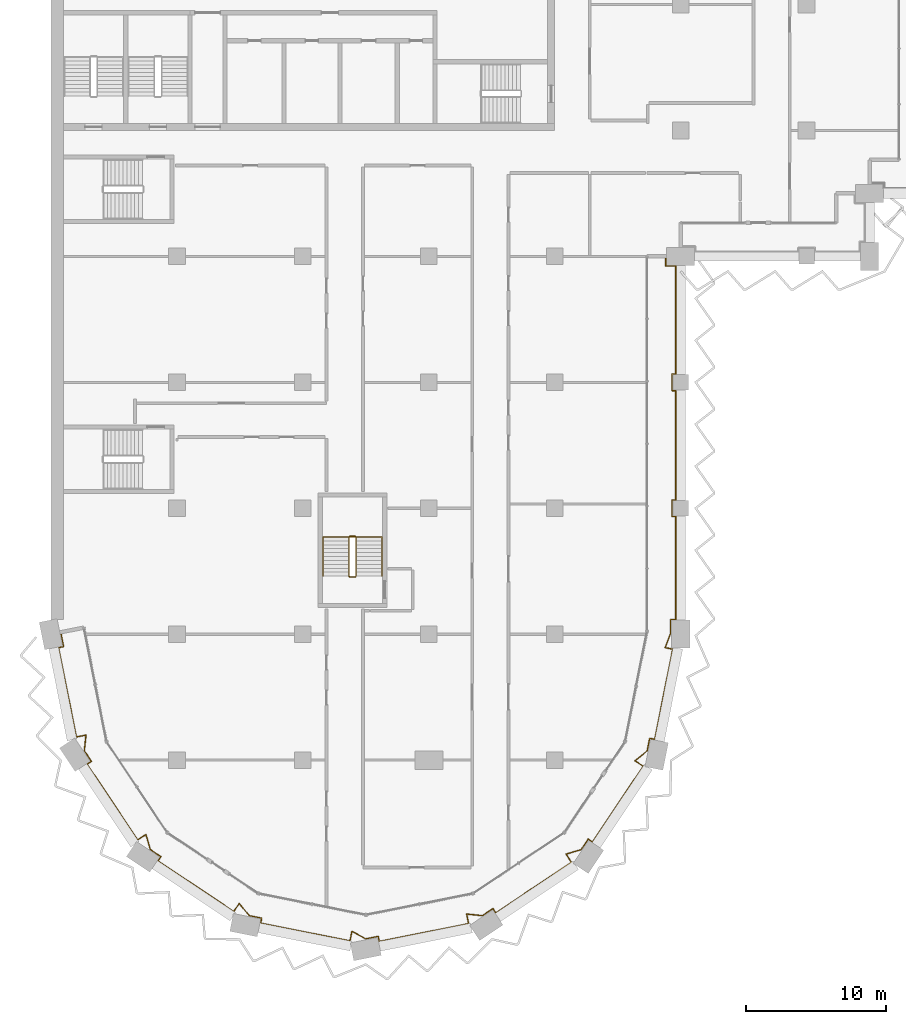
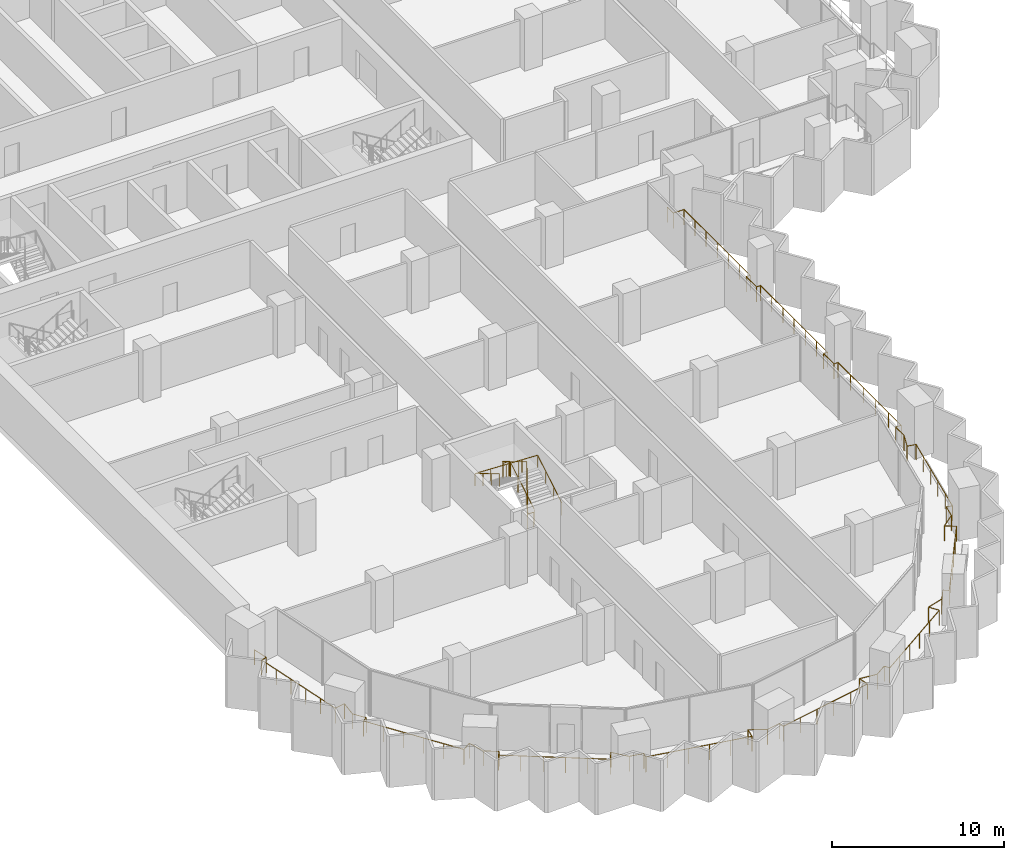
# One storey, part 20 of 23: 3 railings.
"""IFC4 building model written with IfcOpenShell, lengths in metres."""

from ifc_helpers import new_model, si_unit, direction, frame, origin, origin_2d, place, context, subcontext, project, spatial, circle, extrude, material, type_object, element, save


model = new_model("IFC4")

# Units and contexts
model_context = context("Model", 3, precision=1e-05, world=origin(), true_north=direction((0.0, 1.0)))
body_context = subcontext(model_context, "Body", "Model", "MODEL_VIEW")
ifc_project = project(units=[si_unit("LENGTHUNIT", "METRE"), si_unit("AREAUNIT", "SQUARE_METRE"), si_unit("VOLUMEUNIT", "CUBIC_METRE"), si_unit("PLANEANGLEUNIT", "RADIAN"), si_unit("MASSUNIT", "GRAM", prefix="KILO")], contexts=[model_context])

# Site, building, storey
site_placement = place(None, origin())
site = spatial("IfcSite", under=ifc_project, at=site_placement, CompositionType="ELEMENT")
building_placement = place(site_placement, origin())
building = spatial("IfcBuilding", under=site, at=building_placement, Name="Hunhe Ridgeline Campus", CompositionType="ELEMENT")
storey_placement = place(building_placement, frame((0.0, 0.0, 148.60009765625)))
storey = spatial("IfcBuildingStorey", under=building, at=storey_placement, Name="L37", CompositionType="ELEMENT", Elevation=148.60009765625)

# Railings
ifc_material_1 = material(Name="Steel Q355", Category="steel")
railing_type_1 = type_object("IfcRailingType", Name="Loggia guard 1100 Steel Q355", PredefinedType="GUARDRAIL", material=ifc_material_1)
railing_1_placement = place(storey_placement, frame((0.7060546875, 27.140380859375, 0.0)))
element("IfcRailing", 1, at=railing_1_placement, inside=storey, type_object=railing_type_1, Name="Loggia guard 1", PredefinedType="GUARDRAIL", context=body_context, shape_type="SweptSolid", body=[
    extrude(circle(Radius=0.02392578125, at=origin_2d()), frame((0.0, 0.0, 1.076171875), z_axis=(0.195087556151, -0.980785830564, 0.0), x_axis=(0.980785830564, 0.195087556151, 0.0)), (0.0, 0.0, 1.0), 1.050048828125),
    extrude(circle(Radius=0.02392578125, at=origin_2d()), frame((0.204833984375, -1.02978515625, 1.076171875), z_axis=(-0.980858940504, -0.194719641621, 0.0), x_axis=(0.194719641621, -0.980858940504, 0.0)), (0.0, 0.0, 1.0), 0.369873046875),
    extrude(circle(Radius=0.02392578125, at=origin_2d()), frame((-0.157958984375, -1.101806640625, 1.076171875), z_axis=(0.19507695386, -0.9807879394, 0.0), x_axis=(0.9807879394, 0.19507695386, 0.0)), (0.0, 0.0, 1.0), 6.506591796875),
    extrude(circle(Radius=0.02392578125, at=origin_2d()), frame((1.111328125, -7.4833984375, 1.076171875), z_axis=(0.980780459814, 0.195114555191, 0.0), x_axis=(-0.195114555191, 0.980780459814, 0.0)), (0.0, 0.0, 1.0), 0.703125),
    extrude(circle(Radius=0.02392578125, at=origin_2d()), frame((1.801025390625, -7.34619140625, 1.076171875), z_axis=(-0.102884402445, -0.994693319437, 0.0), x_axis=(0.994693319437, -0.102884402445, 0.0)), (0.0, 0.0, 1.0), 1.129638671875),
    extrude(circle(Radius=0.02392578125, at=origin_2d()), frame((1.684814453125, -8.4697265625, 1.076171875), z_axis=(0.555569523548, -0.831470086356, 0.0), x_axis=(0.831470086356, 0.555569523548, 0.0)), (0.0, 0.0, 1.0), 0.906982421875),
    extrude(circle(Radius=0.02392578125, at=origin_2d()), frame((2.188720703125, -9.223876953125, 1.076171875), z_axis=(-0.831440678638, -0.555613532868, 0.0), x_axis=(0.555613532868, -0.831440678638, 0.0)), (0.0, 0.0, 1.0), 0.369873046875),
    extrude(circle(Radius=0.02392578125, at=origin_2d()), frame((1.881103515625, -9.429443359375, 1.076171875), z_axis=(0.55556581165, -0.83147256655, 0.0), x_axis=(0.83147256655, 0.55556581165, 0.0)), (0.0, 0.0, 1.0), 6.50634765625),
    extrude(circle(Radius=0.02392578125, at=origin_2d()), frame((5.495849609375, -14.83935546875, 1.076171875), z_axis=(0.831355400166, 0.555741125539, 0.0), x_axis=(-0.555741125539, 0.831355400166, 0.0)), (0.0, 0.0, 1.0), 0.703369140625),
    extrude(circle(Radius=0.02392578125, at=origin_2d()), frame((6.08056640625, -14.448486328125, 1.076171875), z_axis=(0.285463917281, -0.958389457335, 0.0), x_axis=(0.958389457335, 0.285463917281, 0.0)), (0.0, 0.0, 1.0), 1.1298828125),
    extrude(circle(Radius=0.02392578125, at=origin_2d()), frame((6.403076171875, -15.53125, 1.076171875), z_axis=(0.831511358569, -0.555507750235, 0.0), x_axis=(0.555507750235, 0.831511358569, 0.0)), (0.0, 0.0, 1.0), 0.90673828125),
    extrude(circle(Radius=0.02392578125, at=origin_2d()), frame((7.156982421875, -16.034912109375, 1.076171875), z_axis=(-0.555613532868, -0.831440678638, 0.0), x_axis=(0.831440678638, -0.555613532868, 0.0)), (0.0, 0.0, 1.0), 0.369873046875),
    extrude(circle(Radius=0.02392578125, at=origin_2d()), frame((6.951416015625, -16.342529296875, 1.076171875), z_axis=(0.831455233209, -0.555591752251, 0.0), x_axis=(0.555591752251, 0.831455233209, 0.0)), (0.0, 0.0, 1.0), 6.506591796875),
    extrude(circle(Radius=0.02392578125, at=origin_2d()), frame((12.361328125, -19.95751953125, 1.076171875), z_axis=(0.555741125539, 0.831355400166, 0.0), x_axis=(-0.831355400166, 0.555741125539, 0.0)), (0.0, 0.0, 1.0), 0.703369140625),
    extrude(circle(Radius=0.02392578125, at=origin_2d()), frame((12.752197265625, -19.372802734375, 1.076171875), z_axis=(0.630633305327, -0.776080945657, 0.0), x_axis=(0.776080945657, 0.630633305327, 0.0)), (0.0, 0.0, 1.0), 1.129638671875),
    extrude(circle(Radius=0.02392578125, at=origin_2d()), frame((13.464599609375, -20.24951171875, 1.076171875), z_axis=(0.980807887006, -0.194976636516, 0.0), x_axis=(0.194976636516, 0.980807887006, 0.0)), (0.0, 0.0, 1.0), 0.906494140625),
    extrude(circle(Radius=0.02392578125, at=origin_2d()), frame((14.353759765625, -20.42626953125, 1.076171875), z_axis=(-0.194593653816, -0.980883943132, 0.0), x_axis=(0.980883943132, -0.194593653816, 0.0)), (0.0, 0.0, 1.0), 0.3701171875),
    extrude(circle(Radius=0.02392578125, at=origin_2d()), frame((14.28173828125, -20.789306640625, 1.076171875), z_axis=(0.98078651142, -0.195084133173, 0.0), x_axis=(0.195084133173, 0.98078651142, 0.0)), (0.0, 0.0, 1.0), 6.50634765625),
    extrude(circle(Radius=0.02392578125, at=origin_2d()), frame((20.6630859375, -22.05859375, 1.076171875), z_axis=(0.195114555191, 0.980780459814, 0.0), x_axis=(-0.980780459814, 0.195114555191, 0.0)), (0.0, 0.0, 1.0), 0.703125),
    extrude(circle(Radius=0.02392578125, at=origin_2d()), frame((20.80029296875, -21.368896484375, 1.076171875), z_axis=(0.879616090555, -0.475684278946, 0.0), x_axis=(0.475684278946, 0.879616090555, 0.0)), (0.0, 0.0, 1.0), 1.129638671875),
    extrude(circle(Radius=0.02392578125, at=origin_2d()), frame((21.7939453125, -21.90625, 1.076171875), z_axis=(0.98081812081, 0.194925149456, 0.0), x_axis=(-0.194925149456, 0.98081812081, 0.0)), (0.0, 0.0, 1.0), 0.90673828125),
    extrude(circle(Radius=0.02392578125, at=origin_2d()), frame((22.683349609375, -21.7294921875, 1.076171875), z_axis=(0.194719641621, -0.980858940504, 0.0), x_axis=(0.980858940504, 0.194719641621, 0.0)), (0.0, 0.0, 1.0), 0.369873046875),
    extrude(circle(Radius=0.02392578125, at=origin_2d()), frame((22.75537109375, -22.09228515625, 1.076171875), z_axis=(0.9807879394, 0.19507695386, 0.0), x_axis=(-0.19507695386, 0.9807879394, 0.0)), (0.0, 0.0, 1.0), 6.506591796875),
    extrude(circle(Radius=0.02392578125, at=origin_2d()), frame((29.136962890625, -20.822998046875, 1.076171875), z_axis=(-0.195114555191, 0.980780459814, 0.0), x_axis=(-0.980780459814, -0.195114555191, 0.0)), (0.0, 0.0, 1.0), 0.703125),
    extrude(circle(Radius=0.02392578125, at=origin_2d()), frame((28.999755859375, -20.13330078125, 1.076171875), z_axis=(0.994693319437, -0.102884402445, 0.0), x_axis=(0.102884402445, 0.994693319437, 0.0)), (0.0, 0.0, 1.0), 1.129638671875),
    extrude(circle(Radius=0.02392578125, at=origin_2d()), frame((30.123291015625, -20.24951171875, 1.076171875), z_axis=(0.831470086356, 0.555569523548, 0.0), x_axis=(-0.555569523548, 0.831470086356, 0.0)), (0.0, 0.0, 1.0), 0.906982421875),
    extrude(circle(Radius=0.02392578125, at=origin_2d()), frame((30.87744140625, -19.74560546875, 1.076171875), z_axis=(0.555613532868, -0.831440678638, 0.0), x_axis=(0.831440678638, 0.555613532868, 0.0)), (0.0, 0.0, 1.0), 0.369873046875),
    extrude(circle(Radius=0.02392578125, at=origin_2d()), frame((31.0830078125, -20.05322265625, 1.076171875), z_axis=(0.83147256655, 0.55556581165, 0.0), x_axis=(-0.55556581165, 0.83147256655, 0.0)), (0.0, 0.0, 1.0), 6.50634765625),
    extrude(circle(Radius=0.02392578125, at=origin_2d()), frame((36.492919921875, -16.4384765625, 1.076171875), z_axis=(-0.555741125539, 0.831355400166, 0.0), x_axis=(-0.831355400166, -0.555741125539, 0.0)), (0.0, 0.0, 1.0), 0.703369140625),
    extrude(circle(Radius=0.02392578125, at=origin_2d()), frame((36.10205078125, -15.853759765625, 1.076171875), z_axis=(0.958389457335, 0.285463917281, 0.0), x_axis=(-0.285463917281, 0.958389457335, 0.0)), (0.0, 0.0, 1.0), 1.1298828125),
    extrude(circle(Radius=0.02392578125, at=origin_2d()), frame((37.184814453125, -15.53125, 1.076171875), z_axis=(0.555507750235, 0.831511358569, 0.0), x_axis=(-0.831511358569, 0.555507750235, 0.0)), (0.0, 0.0, 1.0), 0.90673828125),
    extrude(circle(Radius=0.02392578125, at=origin_2d()), frame((37.6884765625, -14.77734375, 1.076171875), z_axis=(0.831440678638, -0.555613532868, 0.0), x_axis=(0.555613532868, 0.831440678638, 0.0)), (0.0, 0.0, 1.0), 0.369873046875),
    extrude(circle(Radius=0.02392578125, at=origin_2d()), frame((37.99609375, -14.98291015625, 1.076171875), z_axis=(0.555591752251, 0.831455233209, 0.0), x_axis=(-0.831455233209, 0.555591752251, 0.0)), (0.0, 0.0, 1.0), 6.506591796875),
    extrude(circle(Radius=0.02392578125, at=origin_2d()), frame((41.611083984375, -9.572998046875, 1.076171875), z_axis=(-0.831355400166, 0.555741125539, 0.0), x_axis=(-0.555741125539, -0.831355400166, 0.0)), (0.0, 0.0, 1.0), 0.703369140625),
    extrude(circle(Radius=0.02392578125, at=origin_2d()), frame((41.0263671875, -9.18212890625, 1.076171875), z_axis=(0.776080945657, 0.630633305327, 0.0), x_axis=(-0.630633305327, 0.776080945657, 0.0)), (0.0, 0.0, 1.0), 1.129638671875),
    extrude(circle(Radius=0.02392578125, at=origin_2d()), frame((41.903076171875, -8.4697265625, 1.076171875), z_axis=(0.194976636516, 0.980807887006, 0.0), x_axis=(-0.980807887006, 0.194976636516, 0.0)), (0.0, 0.0, 1.0), 0.906494140625),
    extrude(circle(Radius=0.02392578125, at=origin_2d()), frame((42.079833984375, -7.58056640625, 1.076171875), z_axis=(0.980883943132, -0.194593653816, 0.0), x_axis=(0.194593653816, 0.980883943132, 0.0)), (0.0, 0.0, 1.0), 0.3701171875),
    extrude(circle(Radius=0.02392578125, at=origin_2d()), frame((42.44287109375, -7.652587890625, 1.076171875), z_axis=(0.195087191819, 0.980785903033, 0.0), x_axis=(-0.980785903033, 0.195087191819, 0.0)), (0.0, 0.0, 1.0), 6.5712890625),
    extrude(circle(Radius=0.02392578125, at=origin_2d()), frame((43.724853515625, -1.20751953125, 1.076171875), z_axis=(-0.9807502228, 0.195266485801, 0.0), x_axis=(-0.195266485801, -0.9807502228, 0.0)), (0.0, 0.0, 1.0), 0.552734375),
    extrude(circle(Radius=0.02392578125, at=origin_2d()), frame((43.182861328125, -1.099609375, 1.076171875), z_axis=(0.354981524628, 0.934873316109, 0.0), x_axis=(-0.934873316109, 0.354981524628, 0.0)), (0.0, 0.0, 1.0), 1.101806640625),
    extrude(circle(Radius=0.02392578125, at=origin_2d()), frame((43.573974609375, -0.069580078125, 1.076171875), z_axis=(0.0, 1.0, 0.0), x_axis=(-1.0, 0.0, 0.0)), (0.0, 0.0, 1.0), 0.979248046875),
    extrude(circle(Radius=0.02392578125, at=origin_2d()), frame((43.573974609375, 0.90966796875, 1.076171875), z_axis=(1.0, 0.0, 0.0), x_axis=(0.0, 1.0, 0.0)), (0.0, 0.0, 1.0), 0.369873046875),
    extrude(circle(Radius=0.02392578125, at=origin_2d()), frame((43.94384765625, 0.90966796875, 1.076171875), z_axis=(0.0, 1.0, 0.0), x_axis=(-1.0, 0.0, 0.0)), (0.0, 0.0, 1.0), 7.349853515625),
    extrude(circle(Radius=0.02392578125, at=origin_2d()), frame((43.94384765625, 8.259521484375, 1.076171875), z_axis=(-1.0, 0.0, 0.0), x_axis=(0.0, -1.0, 0.0)), (0.0, 0.0, 1.0), 0.27001953125),
    extrude(circle(Radius=0.02392578125, at=origin_2d()), frame((43.673828125, 8.259521484375, 1.076171875), z_axis=(0.0, 1.0, 0.0), x_axis=(-1.0, 0.0, 0.0)), (0.0, 0.0, 1.0), 1.2001953125),
    extrude(circle(Radius=0.02392578125, at=origin_2d()), frame((43.673828125, 9.459716796875, 1.076171875), z_axis=(1.0, 0.0, 0.0), x_axis=(0.0, 1.0, 0.0)), (0.0, 0.0, 1.0), 0.27001953125),
    extrude(circle(Radius=0.02392578125, at=origin_2d()), frame((43.94384765625, 9.459716796875, 1.076171875), z_axis=(0.0, 1.0, 0.0), x_axis=(-1.0, 0.0, 0.0)), (0.0, 0.0, 1.0), 7.7998046875),
    extrude(circle(Radius=0.02392578125, at=origin_2d()), frame((43.94384765625, 17.259521484375, 1.076171875), z_axis=(-1.0, 0.0, 0.0), x_axis=(0.0, -1.0, 0.0)), (0.0, 0.0, 1.0), 0.27001953125),
    extrude(circle(Radius=0.02392578125, at=origin_2d()), frame((43.673828125, 17.259521484375, 1.076171875), z_axis=(0.0, 1.0, 0.0), x_axis=(-1.0, 0.0, 0.0)), (0.0, 0.0, 1.0), 1.2001953125),
    extrude(circle(Radius=0.02392578125, at=origin_2d()), frame((43.673828125, 18.459716796875, 1.076171875), z_axis=(1.0, 0.0, 0.0), x_axis=(0.0, 1.0, 0.0)), (0.0, 0.0, 1.0), 0.27001953125),
    extrude(circle(Radius=0.02392578125, at=origin_2d()), frame((43.94384765625, 18.459716796875, 1.076171875), z_axis=(0.0, 1.0, 0.0), x_axis=(-1.0, 0.0, 0.0)), (0.0, 0.0, 1.0), 7.699951171875),
    extrude(circle(Radius=0.02392578125, at=origin_2d()), frame((43.94384765625, 26.15966796875, 1.076171875), z_axis=(-1.0, 0.0, 0.0), x_axis=(0.0, -1.0, 0.0)), (0.0, 0.0, 1.0), 0.719970703125),
    extrude(circle(Radius=0.02392578125, at=origin_2d()), frame((43.223876953125, 26.15966796875, 1.076171875), z_axis=(0.0, 1.0, 0.0), x_axis=(-1.0, 0.0, 0.0)), (0.0, 0.0, 1.0), 0.699951171875),
    extrude(circle(Radius=0.02099609375, at=origin_2d()), origin(), (0.0, 0.0, 1.0), 1.052001953125),
    extrude(circle(Radius=0.02099609375, at=origin_2d()), frame((0.204833984375, -1.02978515625, 0.0)), (0.0, 0.0, 1.0), 1.052001953125),
    extrude(circle(Radius=0.02099609375, at=origin_2d()), frame((-0.157958984375, -1.101806640625, 0.0)), (0.0, 0.0, 1.0), 1.052001953125),
    extrude(circle(Radius=0.02099609375, at=origin_2d()), frame((0.095947265625, -2.378173828125, 0.0)), (0.0, 0.0, 1.0), 1.052001953125),
    extrude(circle(Radius=0.02099609375, at=origin_2d()), frame((0.349853515625, -3.654541015625, 0.0)), (0.0, 0.0, 1.0), 1.052001953125),
    extrude(circle(Radius=0.02099609375, at=origin_2d()), frame((0.603515625, -4.9306640625, 0.0)), (0.0, 0.0, 1.0), 1.052001953125),
    extrude(circle(Radius=0.02099609375, at=origin_2d()), frame((0.857421875, -6.20703125, 0.0)), (0.0, 0.0, 1.0), 1.052001953125),
    extrude(circle(Radius=0.02099609375, at=origin_2d()), frame((1.111328125, -7.4833984375, 0.0)), (0.0, 0.0, 1.0), 1.052001953125),
    extrude(circle(Radius=0.02099609375, at=origin_2d()), frame((1.801025390625, -7.34619140625, 0.0)), (0.0, 0.0, 1.0), 1.052001953125),
    extrude(circle(Radius=0.02099609375, at=origin_2d()), frame((1.684814453125, -8.4697265625, 0.0)), (0.0, 0.0, 1.0), 1.052001953125),
    extrude(circle(Radius=0.02099609375, at=origin_2d()), frame((2.188720703125, -9.223876953125, 0.0)), (0.0, 0.0, 1.0), 1.052001953125),
    extrude(circle(Radius=0.02099609375, at=origin_2d()), frame((1.881103515625, -9.429443359375, 0.0)), (0.0, 0.0, 1.0), 1.052001953125),
    extrude(circle(Radius=0.02099609375, at=origin_2d()), frame((2.60400390625, -10.511474609375, 0.0)), (0.0, 0.0, 1.0), 1.052001953125),
    extrude(circle(Radius=0.02099609375, at=origin_2d()), frame((3.326904296875, -11.593505859375, 0.0)), (0.0, 0.0, 1.0), 1.052001953125),
    extrude(circle(Radius=0.02099609375, at=origin_2d()), frame((4.050048828125, -12.67529296875, 0.0)), (0.0, 0.0, 1.0), 1.052001953125),
    extrude(circle(Radius=0.02099609375, at=origin_2d()), frame((4.77294921875, -13.75732421875, 0.0)), (0.0, 0.0, 1.0), 1.052001953125),
    extrude(circle(Radius=0.02099609375, at=origin_2d()), frame((5.495849609375, -14.83935546875, 0.0)), (0.0, 0.0, 1.0), 1.052001953125),
    extrude(circle(Radius=0.02099609375, at=origin_2d()), frame((6.08056640625, -14.448486328125, 0.0)), (0.0, 0.0, 1.0), 1.052001953125),
    extrude(circle(Radius=0.02099609375, at=origin_2d()), frame((6.403076171875, -15.53125, 0.0)), (0.0, 0.0, 1.0), 1.052001953125),
    extrude(circle(Radius=0.02099609375, at=origin_2d()), frame((7.156982421875, -16.034912109375, 0.0)), (0.0, 0.0, 1.0), 1.052001953125),
    extrude(circle(Radius=0.02099609375, at=origin_2d()), frame((6.951416015625, -16.342529296875, 0.0)), (0.0, 0.0, 1.0), 1.052001953125),
    extrude(circle(Radius=0.02099609375, at=origin_2d()), frame((8.033447265625, -17.0654296875, 0.0)), (0.0, 0.0, 1.0), 1.052001953125),
    extrude(circle(Radius=0.02099609375, at=origin_2d()), frame((9.115478515625, -17.78857421875, 0.0)), (0.0, 0.0, 1.0), 1.052001953125),
    extrude(circle(Radius=0.02099609375, at=origin_2d()), frame((10.197265625, -18.511474609375, 0.0)), (0.0, 0.0, 1.0), 1.052001953125),
    extrude(circle(Radius=0.02099609375, at=origin_2d()), frame((11.279296875, -19.234619140625, 0.0)), (0.0, 0.0, 1.0), 1.052001953125),
    extrude(circle(Radius=0.02099609375, at=origin_2d()), frame((12.361328125, -19.95751953125, 0.0)), (0.0, 0.0, 1.0), 1.052001953125),
    extrude(circle(Radius=0.02099609375, at=origin_2d()), frame((12.752197265625, -19.372802734375, 0.0)), (0.0, 0.0, 1.0), 1.052001953125),
    extrude(circle(Radius=0.02099609375, at=origin_2d()), frame((13.464599609375, -20.24951171875, 0.0)), (0.0, 0.0, 1.0), 1.052001953125),
    extrude(circle(Radius=0.02099609375, at=origin_2d()), frame((14.353759765625, -20.42626953125, 0.0)), (0.0, 0.0, 1.0), 1.052001953125),
    extrude(circle(Radius=0.02099609375, at=origin_2d()), frame((14.28173828125, -20.789306640625, 0.0)), (0.0, 0.0, 1.0), 1.052001953125),
    extrude(circle(Radius=0.02099609375, at=origin_2d()), frame((15.55810546875, -21.043212890625, 0.0)), (0.0, 0.0, 1.0), 1.052001953125),
    extrude(circle(Radius=0.02099609375, at=origin_2d()), frame((16.834228515625, -21.297119140625, 0.0)), (0.0, 0.0, 1.0), 1.052001953125),
    extrude(circle(Radius=0.02099609375, at=origin_2d()), frame((18.110595703125, -21.55078125, 0.0)), (0.0, 0.0, 1.0), 1.052001953125),
    extrude(circle(Radius=0.02099609375, at=origin_2d()), frame((19.38671875, -21.8046875, 0.0)), (0.0, 0.0, 1.0), 1.052001953125),
    extrude(circle(Radius=0.02099609375, at=origin_2d()), frame((20.6630859375, -22.05859375, 0.0)), (0.0, 0.0, 1.0), 1.052001953125),
    extrude(circle(Radius=0.02099609375, at=origin_2d()), frame((20.80029296875, -21.368896484375, 0.0)), (0.0, 0.0, 1.0), 1.052001953125),
    extrude(circle(Radius=0.02099609375, at=origin_2d()), frame((21.7939453125, -21.90625, 0.0)), (0.0, 0.0, 1.0), 1.052001953125),
    extrude(circle(Radius=0.02099609375, at=origin_2d()), frame((22.683349609375, -21.7294921875, 0.0)), (0.0, 0.0, 1.0), 1.052001953125),
    extrude(circle(Radius=0.02099609375, at=origin_2d()), frame((22.75537109375, -22.09228515625, 0.0)), (0.0, 0.0, 1.0), 1.052001953125),
    extrude(circle(Radius=0.02099609375, at=origin_2d()), frame((24.03173828125, -21.83837890625, 0.0)), (0.0, 0.0, 1.0), 1.052001953125),
    extrude(circle(Radius=0.02099609375, at=origin_2d()), frame((25.30810546875, -21.58447265625, 0.0)), (0.0, 0.0, 1.0), 1.052001953125),
    extrude(circle(Radius=0.02099609375, at=origin_2d()), frame((26.584228515625, -21.330810546875, 0.0)), (0.0, 0.0, 1.0), 1.052001953125),
    extrude(circle(Radius=0.02099609375, at=origin_2d()), frame((27.860595703125, -21.076904296875, 0.0)), (0.0, 0.0, 1.0), 1.052001953125),
    extrude(circle(Radius=0.02099609375, at=origin_2d()), frame((29.136962890625, -20.822998046875, 0.0)), (0.0, 0.0, 1.0), 1.052001953125),
    extrude(circle(Radius=0.02099609375, at=origin_2d()), frame((28.999755859375, -20.13330078125, 0.0)), (0.0, 0.0, 1.0), 1.052001953125),
    extrude(circle(Radius=0.02099609375, at=origin_2d()), frame((30.123291015625, -20.24951171875, 0.0)), (0.0, 0.0, 1.0), 1.052001953125),
    extrude(circle(Radius=0.02099609375, at=origin_2d()), frame((30.87744140625, -19.74560546875, 0.0)), (0.0, 0.0, 1.0), 1.052001953125),
    extrude(circle(Radius=0.02099609375, at=origin_2d()), frame((31.0830078125, -20.05322265625, 0.0)), (0.0, 0.0, 1.0), 1.052001953125),
    extrude(circle(Radius=0.02099609375, at=origin_2d()), frame((32.1650390625, -19.330322265625, 0.0)), (0.0, 0.0, 1.0), 1.052001953125),
    extrude(circle(Radius=0.02099609375, at=origin_2d()), frame((33.2470703125, -18.607421875, 0.0)), (0.0, 0.0, 1.0), 1.052001953125),
    extrude(circle(Radius=0.02099609375, at=origin_2d()), frame((34.328857421875, -17.88427734375, 0.0)), (0.0, 0.0, 1.0), 1.052001953125),
    extrude(circle(Radius=0.02099609375, at=origin_2d()), frame((35.410888671875, -17.161376953125, 0.0)), (0.0, 0.0, 1.0), 1.052001953125),
    extrude(circle(Radius=0.02099609375, at=origin_2d()), frame((36.492919921875, -16.4384765625, 0.0)), (0.0, 0.0, 1.0), 1.052001953125),
    extrude(circle(Radius=0.02099609375, at=origin_2d()), frame((36.10205078125, -15.853759765625, 0.0)), (0.0, 0.0, 1.0), 1.052001953125),
    extrude(circle(Radius=0.02099609375, at=origin_2d()), frame((37.184814453125, -15.53125, 0.0)), (0.0, 0.0, 1.0), 1.052001953125),
    extrude(circle(Radius=0.02099609375, at=origin_2d()), frame((37.6884765625, -14.77734375, 0.0)), (0.0, 0.0, 1.0), 1.052001953125),
    extrude(circle(Radius=0.02099609375, at=origin_2d()), frame((37.99609375, -14.98291015625, 0.0)), (0.0, 0.0, 1.0), 1.052001953125),
    extrude(circle(Radius=0.02099609375, at=origin_2d()), frame((38.718994140625, -13.90087890625, 0.0)), (0.0, 0.0, 1.0), 1.052001953125),
    extrude(circle(Radius=0.02099609375, at=origin_2d()), frame((39.442138671875, -12.81884765625, 0.0)), (0.0, 0.0, 1.0), 1.052001953125),
    extrude(circle(Radius=0.02099609375, at=origin_2d()), frame((40.1650390625, -11.737060546875, 0.0)), (0.0, 0.0, 1.0), 1.052001953125),
    extrude(circle(Radius=0.02099609375, at=origin_2d()), frame((40.88818359375, -10.655029296875, 0.0)), (0.0, 0.0, 1.0), 1.052001953125),
    extrude(circle(Radius=0.02099609375, at=origin_2d()), frame((41.611083984375, -9.572998046875, 0.0)), (0.0, 0.0, 1.0), 1.052001953125),
    extrude(circle(Radius=0.02099609375, at=origin_2d()), frame((41.0263671875, -9.18212890625, 0.0)), (0.0, 0.0, 1.0), 1.052001953125),
    extrude(circle(Radius=0.02099609375, at=origin_2d()), frame((41.903076171875, -8.4697265625, 0.0)), (0.0, 0.0, 1.0), 1.052001953125),
    extrude(circle(Radius=0.02099609375, at=origin_2d()), frame((42.079833984375, -7.58056640625, 0.0)), (0.0, 0.0, 1.0), 1.052001953125),
    extrude(circle(Radius=0.02099609375, at=origin_2d()), frame((42.44287109375, -7.652587890625, 0.0)), (0.0, 0.0, 1.0), 1.052001953125),
    extrude(circle(Radius=0.02099609375, at=origin_2d()), frame((42.69921875, -6.363525390625, 0.0)), (0.0, 0.0, 1.0), 1.052001953125),
    extrude(circle(Radius=0.02099609375, at=origin_2d()), frame((42.95556640625, -5.074462890625, 0.0)), (0.0, 0.0, 1.0), 1.052001953125),
    extrude(circle(Radius=0.02099609375, at=origin_2d()), frame((43.212158203125, -3.78564453125, 0.0)), (0.0, 0.0, 1.0), 1.052001953125),
    extrude(circle(Radius=0.02099609375, at=origin_2d()), frame((43.468505859375, -2.49658203125, 0.0)), (0.0, 0.0, 1.0), 1.052001953125),
    extrude(circle(Radius=0.02099609375, at=origin_2d()), frame((43.724853515625, -1.20751953125, 0.0)), (0.0, 0.0, 1.0), 1.052001953125),
    extrude(circle(Radius=0.02099609375, at=origin_2d()), frame((43.182861328125, -1.099609375, 0.0)), (0.0, 0.0, 1.0), 1.052001953125),
    extrude(circle(Radius=0.02099609375, at=origin_2d()), frame((43.573974609375, -0.069580078125, 0.0)), (0.0, 0.0, 1.0), 1.052001953125),
    extrude(circle(Radius=0.02099609375, at=origin_2d()), frame((43.573974609375, 0.90966796875, 0.0)), (0.0, 0.0, 1.0), 1.052001953125),
    extrude(circle(Radius=0.02099609375, at=origin_2d()), frame((43.94384765625, 0.90966796875, 0.0)), (0.0, 0.0, 1.0), 1.052001953125),
    extrude(circle(Radius=0.02099609375, at=origin_2d()), frame((43.94384765625, 2.379638671875, 0.0)), (0.0, 0.0, 1.0), 1.052001953125),
    extrude(circle(Radius=0.02099609375, at=origin_2d()), frame((43.94384765625, 3.849609375, 0.0)), (0.0, 0.0, 1.0), 1.052001953125),
    extrude(circle(Radius=0.02099609375, at=origin_2d()), frame((43.94384765625, 5.319580078125, 0.0)), (0.0, 0.0, 1.0), 1.052001953125),
    extrude(circle(Radius=0.02099609375, at=origin_2d()), frame((43.94384765625, 6.78955078125, 0.0)), (0.0, 0.0, 1.0), 1.052001953125),
    extrude(circle(Radius=0.02099609375, at=origin_2d()), frame((43.94384765625, 8.259521484375, 0.0)), (0.0, 0.0, 1.0), 1.052001953125),
    extrude(circle(Radius=0.02099609375, at=origin_2d()), frame((43.673828125, 8.259521484375, 0.0)), (0.0, 0.0, 1.0), 1.052001953125),
    extrude(circle(Radius=0.02099609375, at=origin_2d()), frame((43.673828125, 9.459716796875, 0.0)), (0.0, 0.0, 1.0), 1.052001953125),
    extrude(circle(Radius=0.02099609375, at=origin_2d()), frame((43.94384765625, 9.459716796875, 0.0)), (0.0, 0.0, 1.0), 1.052001953125),
    extrude(circle(Radius=0.02099609375, at=origin_2d()), frame((43.94384765625, 10.759765625, 0.0)), (0.0, 0.0, 1.0), 1.052001953125),
    extrude(circle(Radius=0.02099609375, at=origin_2d()), frame((43.94384765625, 12.0595703125, 0.0)), (0.0, 0.0, 1.0), 1.052001953125),
    extrude(circle(Radius=0.02099609375, at=origin_2d()), frame((43.94384765625, 13.359619140625, 0.0)), (0.0, 0.0, 1.0), 1.052001953125),
    extrude(circle(Radius=0.02099609375, at=origin_2d()), frame((43.94384765625, 14.65966796875, 0.0)), (0.0, 0.0, 1.0), 1.052001953125),
    extrude(circle(Radius=0.02099609375, at=origin_2d()), frame((43.94384765625, 15.95947265625, 0.0)), (0.0, 0.0, 1.0), 1.052001953125),
    extrude(circle(Radius=0.02099609375, at=origin_2d()), frame((43.94384765625, 17.259521484375, 0.0)), (0.0, 0.0, 1.0), 1.052001953125),
    extrude(circle(Radius=0.02099609375, at=origin_2d()), frame((43.673828125, 17.259521484375, 0.0)), (0.0, 0.0, 1.0), 1.052001953125),
    extrude(circle(Radius=0.02099609375, at=origin_2d()), frame((43.673828125, 18.459716796875, 0.0)), (0.0, 0.0, 1.0), 1.052001953125),
    extrude(circle(Radius=0.02099609375, at=origin_2d()), frame((43.94384765625, 18.459716796875, 0.0)), (0.0, 0.0, 1.0), 1.052001953125),
    extrude(circle(Radius=0.02099609375, at=origin_2d()), frame((43.94384765625, 19.7431640625, 0.0)), (0.0, 0.0, 1.0), 1.052001953125),
    extrude(circle(Radius=0.02099609375, at=origin_2d()), frame((43.94384765625, 21.0263671875, 0.0)), (0.0, 0.0, 1.0), 1.052001953125),
    extrude(circle(Radius=0.02099609375, at=origin_2d()), frame((43.94384765625, 22.3095703125, 0.0)), (0.0, 0.0, 1.0), 1.052001953125),
    extrude(circle(Radius=0.02099609375, at=origin_2d()), frame((43.94384765625, 23.593017578125, 0.0)), (0.0, 0.0, 1.0), 1.052001953125),
    extrude(circle(Radius=0.02099609375, at=origin_2d()), frame((43.94384765625, 24.87646484375, 0.0)), (0.0, 0.0, 1.0), 1.052001953125),
    extrude(circle(Radius=0.02099609375, at=origin_2d()), frame((43.94384765625, 26.15966796875, 0.0)), (0.0, 0.0, 1.0), 1.052001953125),
    extrude(circle(Radius=0.02099609375, at=origin_2d()), frame((43.223876953125, 26.15966796875, 0.0)), (0.0, 0.0, 1.0), 1.052001953125),
    extrude(circle(Radius=0.02099609375, at=origin_2d()), frame((43.223876953125, 26.859619140625, 0.0)), (0.0, 0.0, 1.0), 1.052001953125),
])
ifc_material_2 = material(Name="Stainless steel balustrade", Category="steel")
railing_type_2 = type_object("IfcRailingType", Name="Stair guard 1100 stainless", PredefinedType="GUARDRAIL", material=ifc_material_2)
railing_2_placement = place(storey_placement, frame((21.800048828125, 31.14990234375, 0.16796875)))
element("IfcRailing", 2, at=railing_2_placement, inside=storey, type_object=railing_type_2, Name="L37 stair W3 guard", PredefinedType="GUARDRAIL", context=body_context, shape_type="SweptSolid", body=[
    extrude(circle(Radius=0.02392578125, at=origin_2d()), frame((0.0, 0.0, 1.076171875), z_axis=(0.0, 0.857242210791, 0.514913383045), x_axis=(-1.0, 0.0, 0.0)), (0.0, 0.0, 1.0), 3.266357421875),
    extrude(circle(Radius=0.02392578125, at=origin_2d()), frame((0.0, 2.800048828125, 2.7578125), z_axis=(-0.707106781187, 0.707106781187, 0.0), x_axis=(-0.707106781187, -0.707106781187, 0.0)), (0.0, 0.0, 1.0), 0.07080078125),
    extrude(circle(Radius=0.02392578125, at=origin_2d()), frame((-0.050048828125, 2.85009765625, 2.7578125), z_axis=(-1.0, 0.0, 0.0), x_axis=(0.0, -1.0, 0.0)), (0.0, 0.0, 1.0), 0.39990234375),
    extrude(circle(Radius=0.02392578125, at=origin_2d()), frame((-0.449951171875, 2.85009765625, 2.7578125), z_axis=(-0.274243871929, -0.274243871929, 0.92172696468), x_axis=(0.707106781187, -0.707106781187, 0.0)), (0.0, 0.0, 1.0), 0.1826171875),
    extrude(circle(Radius=0.02392578125, at=origin_2d()), frame((-0.5, 2.800048828125, 2.92626953125), z_axis=(0.0, -0.857242210791, 0.514913383045), x_axis=(1.0, 0.0, 0.0)), (0.0, 0.0, 1.0), 3.266357421875),
    extrude(circle(Radius=0.02392578125, at=origin_2d()), frame((-0.5, 0.0, 4.60791015625), z_axis=(0.013524426427, -0.013458453615, -0.999817963389), x_axis=(0.705375805398, 0.708833529934, 0.0)), (0.0, 0.0, 1.0), 3.70068359375),
    extrude(circle(Radius=0.02392578125, at=origin_2d()), frame((-0.449951171875, -0.0498046875, 0.908203125), z_axis=(1.0, 0.0, 0.0), x_axis=(0.0, 1.0, 0.0)), (0.0, 0.0, 1.0), 0.39990234375),
    extrude(circle(Radius=0.02099609375, at=origin_2d()), origin(), (0.0, 0.0, 1.0), 1.052001953125),
    extrude(circle(Radius=0.02099609375, at=origin_2d()), frame((0.0, 0.933349609375, 0.560546875)), (0.0, 0.0, 1.0), 1.052001953125),
    extrude(circle(Radius=0.02099609375, at=origin_2d()), frame((0.0, 1.86669921875, 1.121337890625)), (0.0, 0.0, 1.0), 1.052001953125),
    extrude(circle(Radius=0.02099609375, at=origin_2d()), frame((0.0, 2.800048828125, 1.681884765625)), (0.0, 0.0, 1.0), 1.052001953125),
    extrude(circle(Radius=0.02099609375, at=origin_2d()), frame((-0.050048828125, 2.85009765625, 1.681884765625)), (0.0, 0.0, 1.0), 1.052001953125),
    extrude(circle(Radius=0.02099609375, at=origin_2d()), frame((-0.449951171875, 2.85009765625, 1.681884765625)), (0.0, 0.0, 1.0), 1.052001953125),
    extrude(circle(Radius=0.02099609375, at=origin_2d()), frame((-0.5, 2.800048828125, 1.85009765625)), (0.0, 0.0, 1.0), 1.052001953125),
    extrude(circle(Radius=0.02099609375, at=origin_2d()), frame((-0.5, 1.86669921875, 2.41064453125)), (0.0, 0.0, 1.0), 1.052001953125),
    extrude(circle(Radius=0.02099609375, at=origin_2d()), frame((-0.5, 0.933349609375, 2.971435546875)), (0.0, 0.0, 1.0), 1.052001953125),
    extrude(circle(Radius=0.02099609375, at=origin_2d()), frame((-0.5, 0.0, 3.531982421875)), (0.0, 0.0, 1.0), 1.052001953125),
    extrude(circle(Radius=0.02099609375, at=origin_2d()), frame((-0.487548828125, -0.012451171875, 2.60693359375)), (0.0, 0.0, 1.0), 1.052001953125),
    extrude(circle(Radius=0.02099609375, at=origin_2d()), frame((-0.47509765625, -0.02490234375, 1.68212890625)), (0.0, 0.0, 1.0), 1.052001953125),
    extrude(circle(Radius=0.02099609375, at=origin_2d()), frame((-0.46240234375, -0.037353515625, 0.757080078125)), (0.0, 0.0, 1.0), 1.052001953125),
    extrude(circle(Radius=0.02099609375, at=origin_2d()), frame((-0.449951171875, -0.0498046875, -0.16796875)), (0.0, 0.0, 1.0), 1.052001953125),
    extrude(circle(Radius=0.02099609375, at=origin_2d()), frame((-0.050048828125, -0.0498046875, -0.16796875)), (0.0, 0.0, 1.0), 1.052001953125),
])
ifc_material_3 = material(Name="Stainless steel handrail", Category="steel")
railing_type_3 = type_object("IfcRailingType", Name="Stair handrail 900 stainless", PredefinedType="HANDRAIL", material=ifc_material_3)
railing_3_placement = place(storey_placement, frame((23.64990234375, 31.14990234375, 0.16796875)))
element("IfcRailing", 3, at=railing_3_placement, inside=storey, type_object=railing_type_3, Name="L37 stair W3 handrail", PredefinedType="HANDRAIL", context=body_context, shape_type="SweptSolid", body=[
    extrude(circle(Radius=0.02392578125, at=origin_2d()), frame((0.0, 0.0, 0.8759765625), z_axis=(0.0, 0.857242210791, 0.514913383045), x_axis=(-1.0, 0.0, 0.0)), (0.0, 0.0, 1.0), 3.266357421875),
    extrude(circle(Radius=0.02392578125, at=origin_2d()), frame((0.0, 2.800048828125, 2.5576171875), z_axis=(-0.999198916169, 0.0, 0.040019069537), x_axis=(0.0, -1.0, 0.0)), (0.0, 0.0, 1.0), 4.203369140625),
    extrude(circle(Radius=0.02392578125, at=origin_2d()), frame((-4.199951171875, 2.800048828125, 2.72607421875), z_axis=(0.0, -0.857242210791, 0.514913383045), x_axis=(1.0, 0.0, 0.0)), (0.0, 0.0, 1.0), 3.266357421875),
    extrude(circle(Radius=0.02099609375, at=origin_2d()), origin(), (0.0, 0.0, 1.0), 0.851806640625),
    extrude(circle(Radius=0.02099609375, at=origin_2d()), frame((0.0, 0.933349609375, 0.560546875)), (0.0, 0.0, 1.0), 0.851806640625),
    extrude(circle(Radius=0.02099609375, at=origin_2d()), frame((0.0, 1.86669921875, 1.121337890625)), (0.0, 0.0, 1.0), 0.851806640625),
    extrude(circle(Radius=0.02099609375, at=origin_2d()), frame((0.0, 2.800048828125, 1.681884765625)), (0.0, 0.0, 1.0), 0.851806640625),
    extrude(circle(Radius=0.02099609375, at=origin_2d()), frame((-1.050048828125, 2.800048828125, 1.723876953125)), (0.0, 0.0, 1.0), 0.851806640625),
    extrude(circle(Radius=0.02099609375, at=origin_2d()), frame((-2.10009765625, 2.800048828125, 1.76611328125)), (0.0, 0.0, 1.0), 0.851806640625),
    extrude(circle(Radius=0.02099609375, at=origin_2d()), frame((-3.14990234375, 2.800048828125, 1.80810546875)), (0.0, 0.0, 1.0), 0.851806640625),
    extrude(circle(Radius=0.02099609375, at=origin_2d()), frame((-4.199951171875, 2.800048828125, 1.85009765625)), (0.0, 0.0, 1.0), 0.851806640625),
    extrude(circle(Radius=0.02099609375, at=origin_2d()), frame((-4.199951171875, 1.86669921875, 2.41064453125)), (0.0, 0.0, 1.0), 0.851806640625),
    extrude(circle(Radius=0.02099609375, at=origin_2d()), frame((-4.199951171875, 0.933349609375, 2.971435546875)), (0.0, 0.0, 1.0), 0.851806640625),
    extrude(circle(Radius=0.02099609375, at=origin_2d()), frame((-4.199951171875, 0.0, 3.531982421875)), (0.0, 0.0, 1.0), 0.851806640625),
])

save(model, "model.ifc")
